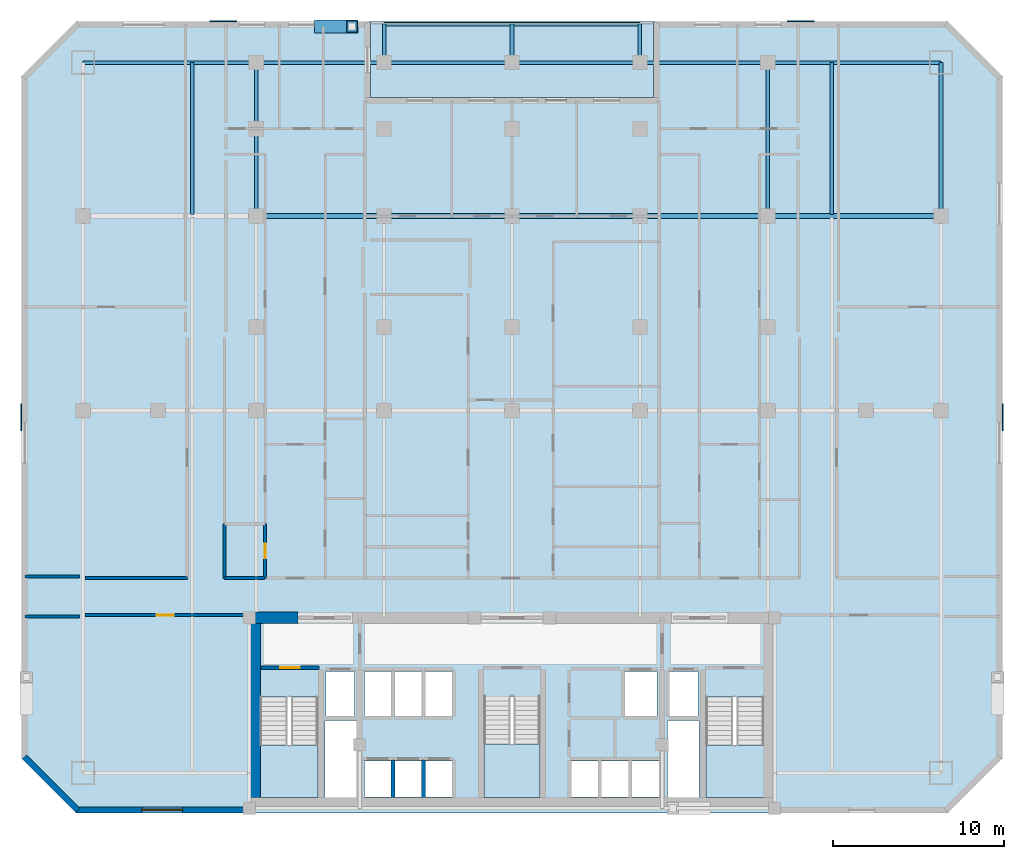
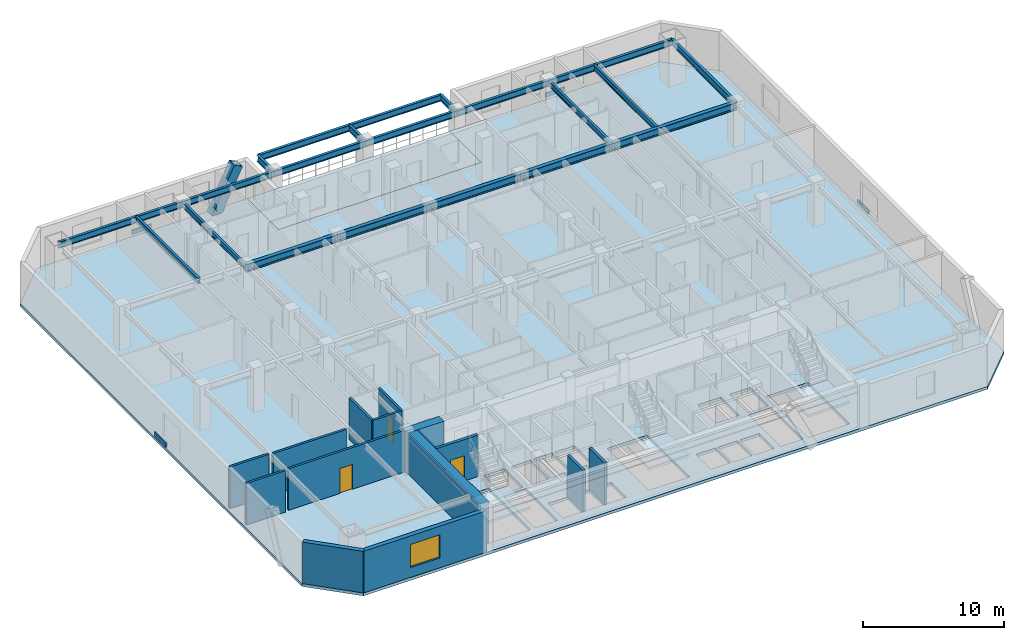
# One storey, part 2 of 9: 21 beams, 14 walls, 5 slabs, 4 plates, 3 doors, 1 member, 1 window, 4 openings, 3 elements without a shape of their own.
"""IFC4 building model written with IfcOpenShell, lengths in metres."""

import ifcopenshell
import ifcopenshell.guid

model = None  # the IFC model being written
_history = None  # IfcOwnerHistory: only IFC2X3 demands one
_inside = {}  # id of a spatial element -> (the spatial element, [elements in it])
_under = {}  # id of a project, library or spatial element -> (it, [spatial elements below it])
_declared = {}  # id of a project -> (the project, [libraries it declares])
_typed = {}  # id of a type object -> (the type object, [elements of that type])
_made_of = {}  # id of a material, layer set ... -> (it, [elements and type objects made of it])


def new_model(schema):
    """Start an empty IFC model of exactly this schema.

    Asked for "IFC4X3", IfcOpenShell would pick the latest addendum, in which some entities
    have other attributes; the version numbers below select the first issue.
    IFC2X3 requires an IfcOwnerHistory on every rooted entity: one is made here for all.
    """
    global model, _history
    if schema == "IFC4X3":
        model = ifcopenshell.file(schema_version=(4, 3, 0, 0))
    else:
        model = ifcopenshell.file(schema=schema)
    _inside.clear()
    _under.clear()
    _declared.clear()
    _typed.clear()
    _made_of.clear()
    _history = None
    if model.schema == "IFC2X3":
        org = make("IfcOrganization", Name="unknown")
        user = make(
            "IfcPersonAndOrganization",
            ThePerson=make("IfcPerson", FamilyName="unknown"),
            TheOrganization=org,
        )
        app = make(
            "IfcApplication",
            ApplicationDeveloper=org,
            Version="unknown",
            ApplicationFullName="unknown",
            ApplicationIdentifier="unknown",
        )
        _history = make(
            "IfcOwnerHistory",
            OwningUser=user,
            OwningApplication=app,
            ChangeAction="ADDED",
            CreationDate=0,
        )
    return model


def make(cls, **values):
    """One entity of the class cls with the attributes given. An attribute that is None is left unset."""
    return model.create_entity(
        cls, **{name: value for name, value in values.items() if value is not None}
    )


def rooted(cls, **values):
    """An entity with a GlobalId (a new one), such as an element, a storey or a relation."""
    return make(cls, GlobalId=ifcopenshell.guid.new(), OwnerHistory=_history, **values)


def si_unit(unit_type, name, prefix=None):
    """IfcSIUnit, for example si_unit("LENGTHUNIT", "METRE", prefix="MILLI")."""
    return make("IfcSIUnit", UnitType=unit_type, Prefix=prefix, Name=name)


def assignment(units):
    """IfcUnitAssignment: the units of a project."""
    return None if units is None else make("IfcUnitAssignment", Units=units)


def point(xyz):
    """IfcCartesianPoint."""
    return None if xyz is None else make("IfcCartesianPoint", Coordinates=xyz)


def direction(xyz):
    """IfcDirection."""
    return None if xyz is None else make("IfcDirection", DirectionRatios=xyz)


def frame(location, z_axis=None, x_axis=None):
    """IfcAxis2Placement3D, a coordinate frame: its origin and axes. An axis left out is left unset."""
    return make(
        "IfcAxis2Placement3D",
        Location=point(location),
        Axis=direction(z_axis),
        RefDirection=direction(x_axis),
    )


def frame_2d(location, x_axis=None):
    """IfcAxis2Placement2D, a coordinate frame in the plane: its origin and x axis."""
    return make(
        "IfcAxis2Placement2D", Location=point(location), RefDirection=direction(x_axis)
    )


def origin():
    """The frame at (0, 0, 0) with its axes left unset."""
    return frame((0.0, 0.0, 0.0))


def origin_2d():
    """The frame at (0, 0) in the plane with its x axis left unset."""
    return frame_2d((0.0, 0.0))


def place(relative_to, where):
    """IfcLocalPlacement: puts the frame where relative to a parent placement (None: the world)."""
    return make(
        "IfcLocalPlacement", PlacementRelTo=relative_to, RelativePlacement=where
    )


def context(
    kind, dimensions, precision=None, world=None, true_north=None, identifier=None
):
    """IfcGeometricRepresentationContext, for example the 3D "Model" context."""
    return make(
        "IfcGeometricRepresentationContext",
        ContextIdentifier=identifier,
        ContextType=kind,
        CoordinateSpaceDimension=dimensions,
        Precision=precision,
        WorldCoordinateSystem=world,
        TrueNorth=true_north,
    )


def subcontext(parent, identifier, kind, view, scale=None):
    """IfcGeometricRepresentationSubContext, for example "Body" below "Model"."""
    return make(
        "IfcGeometricRepresentationSubContext",
        ContextIdentifier=identifier,
        ContextType=kind,
        ParentContext=parent,
        TargetScale=scale,
        TargetView=view,
    )


def project(units=None, contexts=None):
    """IfcProject with its units and contexts."""
    return rooted(
        "IfcProject",
        Name="project",
        RepresentationContexts=contexts,
        UnitsInContext=assignment(units),
    )


def spatial(cls, under=None, at=None, **own):
    """A site, building, storey or space (cls), placed at a placement, below another one or the project."""
    s = rooted(cls, ObjectPlacement=at, **own)
    if under is not None:
        _under.setdefault(under.id(), (under, []))[1].append(s)
    return s


def polyline(points):
    """IfcPolyline through the points."""
    return make("IfcPolyline", Points=[point(p) for p in points])


def profile(cls, at=None, kind="AREA", **sizes):
    """A parametric profile (cls). Its sizes go by their IFC names, for example OverallWidth=200.0."""
    return make(cls, ProfileType=kind, Position=at, **sizes)


def rectangle(**sizes):
    """IfcRectangleProfileDef."""
    return profile("IfcRectangleProfileDef", **sizes)


def hollow_rectangle(**sizes):
    """IfcRectangleHollowProfileDef."""
    return profile("IfcRectangleHollowProfileDef", **sizes)


def i_section(**sizes):
    """IfcIShapeProfileDef."""
    return profile("IfcIShapeProfileDef", **sizes)


def outline(outer, holes=None, kind="AREA"):
    """IfcArbitraryClosedProfileDef: a profile drawn as a closed curve; with holes, ...WithVoids."""
    if holes is None:
        return make("IfcArbitraryClosedProfileDef", ProfileType=kind, OuterCurve=outer)
    return make(
        "IfcArbitraryProfileDefWithVoids",
        ProfileType=kind,
        OuterCurve=outer,
        InnerCurves=holes,
    )


def extrude(swept, where, along, depth):
    """IfcExtrudedAreaSolid: the profile swept, set in the frame where, extruded along a direction by depth."""
    return make(
        "IfcExtrudedAreaSolid",
        SweptArea=swept,
        Position=where,
        ExtrudedDirection=direction(along),
        Depth=depth,
    )


def shape(context_of_items, identifier, shape_type, items):
    """IfcShapeRepresentation: the items that make up one representation, for example the "Body"."""
    return make(
        "IfcShapeRepresentation",
        ContextOfItems=context_of_items,
        RepresentationIdentifier=identifier,
        RepresentationType=shape_type,
        Items=items,
    )


def material(Name=None, Category=None):
    """IfcMaterial."""
    return make("IfcMaterial", Name=Name, Category=Category)


def layer(
    of_material, thickness, ventilated=None, Name=None, Category=None, Priority=None
):
    """IfcMaterialLayer: one layer of a wall or slab, of a material (None: an air gap)."""
    return make(
        "IfcMaterialLayer",
        Material=of_material,
        LayerThickness=thickness,
        IsVentilated=ventilated,
        Name=Name,
        Category=Category,
        Priority=Priority,
    )


def layer_set(layers, Name=None):
    """IfcMaterialLayerSet."""
    return make("IfcMaterialLayerSet", MaterialLayers=layers, LayerSetName=Name)


def material_profile(
    of_material, cross_section, Name=None, Category=None, Priority=None
):
    """IfcMaterialProfile: a cross section and its material."""
    return make(
        "IfcMaterialProfile",
        Name=Name,
        Material=of_material,
        Profile=cross_section,
        Priority=Priority,
        Category=Category,
    )


def profile_set(profiles, Name=None, composite=None):
    """IfcMaterialProfileSet."""
    return make(
        "IfcMaterialProfileSet",
        Name=Name,
        MaterialProfiles=profiles,
        CompositeProfile=composite,
    )


def made_of(thing, what):
    """Note that an element or type object is made of a material, layer set ...; save() writes the relation."""
    if what is not None:
        _made_of.setdefault(what.id(), (what, []))[1].append(thing)
    return thing


def type_object(cls, material=None, **own):
    """A type object (cls), such as IfcWallType, which elements share."""
    return made_of(rooted(cls, **own), material)


def element(
    cls,
    number,
    at=None,
    inside=None,
    cuts=None,
    type_object=None,
    material=None,
    context=None,
    identifier="Body",
    shape_type=None,
    held_by="IfcProductDefinitionShape",
    body=None,
    shapes=None,
    **own,
):
    """One element of the class cls, such as IfcWall. Its Tag is "e" and its number.

    at: its placement. inside: the storey or other place that contains it. cuts: it is an
    opening in that element (IfcRelVoidsElement). A single representation is given by context,
    identifier, shape_type and body (its items); several are given by shapes. held_by: the class
    of the entity that holds the representations. save() writes the other relations.
    """
    e = rooted(cls, Tag="e%d" % number, ObjectPlacement=at, **own)
    if body is not None:
        shapes = [shape(context, identifier, shape_type, body)]
    if shapes is not None:
        e.Representation = make(held_by, Representations=shapes)
    if inside is not None:
        _inside.setdefault(inside.id(), (inside, []))[1].append(e)
    if cuts is not None:
        rooted(
            "IfcRelVoidsElement", RelatingBuildingElement=cuts, RelatedOpeningElement=e
        )
    if type_object is not None:
        _typed.setdefault(type_object.id(), (type_object, []))[1].append(e)
    return made_of(e, material)


def fill(opening, filler):
    """IfcRelFillsElement: the door or window that sits in an opening."""
    return rooted(
        "IfcRelFillsElement",
        RelatingOpeningElement=opening,
        RelatedBuildingElement=filler,
    )


def aggregate(whole, parts):
    """IfcRelAggregates: a whole, such as a stair, and the parts it consists of."""
    return rooted("IfcRelAggregates", RelatingObject=whole, RelatedObjects=parts)


def save(model, path):
    """Write the relations noted so far, then the file.

    IfcRelAggregates (storeys below a building ...), IfcRelContainedInSpatialStructure (elements
    in a storey), IfcRelDefinesByType, IfcRelAssociatesMaterial and IfcRelDeclares: one each for
    every whole, place, type object, material and project.
    """
    for whole, parts in _under.values():
        aggregate(whole, parts)
    for where, things in _inside.values():
        rooted(
            "IfcRelContainedInSpatialStructure",
            RelatedElements=things,
            RelatingStructure=where,
        )
    for kind, things in _typed.values():
        rooted("IfcRelDefinesByType", RelatedObjects=things, RelatingType=kind)
    for what, things in _made_of.values():
        rooted("IfcRelAssociatesMaterial", RelatedObjects=things, RelatingMaterial=what)
    for by, libraries in _declared.values():
        rooted("IfcRelDeclares", RelatingContext=by, RelatedDefinitions=libraries)
    model.write(path)


model = new_model("IFC4")

# Units and contexts
model_context = context("Model", 3, precision=1e-05, world=origin(), true_north=direction((0.0, 1.0)))
body_context = subcontext(model_context, "Body", "Model", "MODEL_VIEW")
ifc_project = project(units=[si_unit("LENGTHUNIT", "METRE"), si_unit("AREAUNIT", "SQUARE_METRE"), si_unit("VOLUMEUNIT", "CUBIC_METRE"), si_unit("PLANEANGLEUNIT", "RADIAN"), si_unit("MASSUNIT", "GRAM", prefix="KILO")], contexts=[model_context])

# Site, building, storey
site_placement = place(None, origin())
site = spatial("IfcSite", under=ifc_project, at=site_placement, CompositionType="ELEMENT")
building_placement = place(site_placement, origin())
building = spatial("IfcBuilding", under=site, at=building_placement, Name="Ventersveld Concourse Tower", CompositionType="ELEMENT")
storey_placement = place(building_placement, frame((0.0, 0.0, 68.300048828125)))
storey = spatial("IfcBuildingStorey", under=building, at=storey_placement, Name="L16", CompositionType="ELEMENT", Elevation=68.300048828125)

# Beams
ifc_material_1 = material(Name="Structural steel S355J2", Category="steel")
ifc_material_profile_1 = material_profile(ifc_material_1, i_section(OverallWidth=0.19140625, OverallDepth=0.4599609375, WebThickness=0.010009765625, FlangeThickness=0.01611328125, FilletRadius=0.01025390625, at=origin_2d()), Name="UB 457x191x82")
ifc_profile_set_1 = profile_set([ifc_material_profile_1], Name="Structural steel S355J2")
beam_type_1 = type_object("IfcBeamType", Name="BM-UB457H", PredefinedType="BEAM", material=ifc_profile_set_1)
beam_1_placement = place(storey_placement, frame((10.0, 35.094970703125, 3.369873046875), z_axis=(0.0, 1.0, 0.0), x_axis=(-1.0, 0.0, 0.0)))
element("IfcBeam", 1, at=beam_1_placement, inside=storey, type_object=beam_type_1, Name="L16 N-S Composite Floor Beam North X=10.00", PredefinedType="BEAM", context=body_context, shape_type="SweptSolid", body=[
    extrude(i_section(OverallWidth=0.19140625, OverallDepth=0.4599609375, WebThickness=0.010009765625, FlangeThickness=0.01611328125, FilletRadius=0.01025390625, at=origin_2d()), origin(), (0.0, 0.0, 1.0), 8.905029296875),
])
for number, where, z_axis, x_axis, name in (
    (2, (13.75, 35.0, 3.369873046875), (0.0, 1.0, 0.0), (-1.0, 0.0, 0.0), "L16 N-S Composite Floor Beam North X=13.75"),
    (3, (43.75, 35.0, 3.369873046875), (0.0, 1.0, 0.0), (-1.0, 0.0, 0.0), "L16 N-S Composite Floor Beam North X=43.75"),
):
    element("IfcBeam", number, at=place(storey_placement, frame(where, z_axis=z_axis, x_axis=x_axis)), inside=storey, type_object=beam_type_1, Name=name, PredefinedType="BEAM", context=body_context, shape_type="SweptSolid", body=[
        extrude(i_section(OverallWidth=0.19140625, OverallDepth=0.4599609375, WebThickness=0.010009765625, FlangeThickness=0.01611328125, FilletRadius=0.01025390625, at=origin_2d()), origin(), (0.0, 0.0, 1.0), 9.0),
    ])
beam_2_placement = place(storey_placement, frame((47.5, 35.094970703125, 3.369873046875), z_axis=(0.0, 1.0, 0.0), x_axis=(-1.0, 0.0, 0.0)))
element("IfcBeam", 4, at=beam_2_placement, inside=storey, type_object=beam_type_1, Name="L16 N-S Composite Floor Beam North X=47.50", PredefinedType="BEAM", context=body_context, shape_type="SweptSolid", body=[
    extrude(i_section(OverallWidth=0.19140625, OverallDepth=0.4599609375, WebThickness=0.010009765625, FlangeThickness=0.01611328125, FilletRadius=0.01025390625, at=origin_2d()), origin(), (0.0, 0.0, 1.0), 8.905029296875),
])
ifc_material_profile_2 = material_profile(ifc_material_1, i_section(OverallWidth=0.311279296875, OverallDepth=0.6357421875, WebThickness=0.018310546875, FlangeThickness=0.031494140625, FilletRadius=0.0166015625, at=origin_2d()), Name="UB 610x305x238")
ifc_profile_set_2 = profile_set([ifc_material_profile_2], Name="Structural steel S355J2")
beam_type_2 = type_object("IfcBeamType", Name="GRD-UB610H", PredefinedType="USERDEFINED", material=ifc_profile_set_2)
for number, where, z_axis, x_axis, name in (
    (5, (13.75, 35.0, 3.281982421875), (1.0, 0.0, 0.0), (0.0, 1.0, 0.0), "L16 E-W Grid Girder Y=35.00 #2"),
    (6, (21.25, 35.0, 3.281982421875), (1.0, 0.0, 0.0), (0.0, 1.0, 0.0), "L16 E-W Grid Girder Y=35.00 #3"),
    (7, (28.75, 35.0, 3.281982421875), (1.0, 0.0, 0.0), (0.0, 1.0, 0.0), "L16 E-W Grid Girder Y=35.00 #4"),
    (8, (36.25, 35.0, 3.281982421875), (1.0, 0.0, 0.0), (0.0, 1.0, 0.0), "L16 E-W Grid Girder Y=35.00 #5"),
):
    element("IfcBeam", number, at=place(storey_placement, frame(where, z_axis=z_axis, x_axis=x_axis)), inside=storey, type_object=beam_type_2, Name=name, ObjectType="GIRDER", PredefinedType="USERDEFINED", context=body_context, shape_type="SweptSolid", body=[
        extrude(i_section(OverallWidth=0.311279296875, OverallDepth=0.6357421875, WebThickness=0.018310546875, FlangeThickness=0.031494140625, FilletRadius=0.0166015625, at=origin_2d()), origin(), (0.0, 0.0, 1.0), 7.5),
    ])
beam_3_placement = place(storey_placement, frame((43.75, 35.0, 3.281982421875), z_axis=(1.0, 0.0, 0.0), x_axis=(0.0, 1.0, 0.0)))
element("IfcBeam", 9, at=beam_3_placement, inside=storey, type_object=beam_type_2, Name="L16 E-W Grid Girder Y=35.00 #6", ObjectType="GIRDER", PredefinedType="USERDEFINED", context=body_context, shape_type="SweptSolid", body=[
    extrude(i_section(OverallWidth=0.311279296875, OverallDepth=0.6357421875, WebThickness=0.018310546875, FlangeThickness=0.031494140625, FilletRadius=0.0166015625, at=origin_2d()), origin(), (0.0, 0.0, 1.0), 10.14990234375),
])

# Member
ifc_material_2 = material(Name="Structural steel S355ML", Category="steel")
ifc_material_profile_3 = material_profile(ifc_material_2, hollow_rectangle(XDim=0.75, YDim=0.75, WallThickness=0.044921875, at=origin_2d()), Name="BOX 750x750x45")
ifc_profile_set_3 = profile_set([ifc_material_profile_3], Name="Structural steel S355ML")
member_type = type_object("IfcMemberType", Name="MB-750x750", PredefinedType="BRACE", material=ifc_profile_set_3)
member_placement = place(storey_placement, frame((17.5, 46.1201171875, -0.25), z_axis=(0.437861906815, 0.0, 0.899042240699), x_axis=(0.0, 1.0, 0.0)))
element("IfcMember", 10, at=member_placement, inside=storey, type_object=member_type, Name="L16 Exterior Mega-Brace N (Module M03)", PredefinedType="BRACE", context=body_context, shape_type="SweptSolid", body=[
    extrude(hollow_rectangle(XDim=0.75, YDim=0.75, WallThickness=0.044921875, at=origin_2d()), origin(), (0.0, 0.0, 1.0), 4.2822265625),
])

# Beams
ifc_material_profile_4 = material_profile(ifc_material_1, i_section(OverallWidth=0.2119140625, OverallDepth=0.54443359375, WebThickness=0.0126953125, FlangeThickness=0.021240234375, FilletRadius=0.0126953125, at=origin_2d()), Name="UB 533x210x122")
ifc_profile_set_4 = profile_set([ifc_material_profile_4], Name="Structural steel S355J2")
beam_type_3 = type_object("IfcBeamType", Name="SPD-UB533", PredefinedType="SPANDREL", material=ifc_profile_set_4)
beam_4_placement = place(storey_placement, frame((53.89990234375, 35.0, 3.32763671875), z_axis=(0.0, 1.0, 0.0), x_axis=(-1.0, 0.0, 0.0)))
element("IfcBeam", 11, at=beam_4_placement, inside=storey, type_object=beam_type_3, Name="L16 East Spandrel Beam N", PredefinedType="SPANDREL", context=body_context, shape_type="SweptSolid", body=[
    extrude(i_section(OverallWidth=0.2119140625, OverallDepth=0.54443359375, WebThickness=0.0126953125, FlangeThickness=0.021240234375, FilletRadius=0.0126953125, at=origin_2d()), origin(), (0.0, 0.0, 1.0), 9.0),
])
for number, where, z_axis, x_axis, name in (
    (12, (21.25, 44.0, 3.32763671875), (0.0, 1.0, 0.0), (-1.0, 0.0, 0.0), "L16 Terrace Bracket W"),
    (13, (28.75, 44.0, 3.32763671875), (0.0, 1.0, 0.0), (-1.0, 0.0, 0.0), "L16 Terrace Bracket C"),
    (14, (36.25, 44.0, 3.32763671875), (0.0, 1.0, 0.0), (-1.0, 0.0, 0.0), "L16 Terrace Bracket E"),
):
    element("IfcBeam", number, at=place(storey_placement, frame(where, z_axis=z_axis, x_axis=x_axis)), inside=storey, type_object=beam_type_3, Name=name, PredefinedType="SPANDREL", context=body_context, shape_type="SweptSolid", body=[
        extrude(i_section(OverallWidth=0.2119140625, OverallDepth=0.54443359375, WebThickness=0.0126953125, FlangeThickness=0.021240234375, FilletRadius=0.0126953125, at=origin_2d()), origin(), (0.0, 0.0, 1.0), 2.25),
    ])
for number, where, z_axis, x_axis, name in (
    (15, (21.25, 46.25, 3.32763671875), (1.0, 0.0, 0.0), (0.0, 1.0, 0.0), "L16 Terrace Edge Spandrel W"),
    (16, (28.75, 46.25, 3.32763671875), (1.0, 0.0, 0.0), (0.0, 1.0, 0.0), "L16 Terrace Edge Spandrel E"),
):
    element("IfcBeam", number, at=place(storey_placement, frame(where, z_axis=z_axis, x_axis=x_axis)), inside=storey, type_object=beam_type_3, Name=name, PredefinedType="SPANDREL", context=body_context, shape_type="SweptSolid", body=[
        extrude(i_section(OverallWidth=0.2119140625, OverallDepth=0.54443359375, WebThickness=0.0126953125, FlangeThickness=0.021240234375, FilletRadius=0.0126953125, at=origin_2d()), origin(), (0.0, 0.0, 1.0), 7.5),
    ])
beam_5_placement = place(storey_placement, frame((3.60009765625, 44.0, 3.32763671875), z_axis=(1.0, 0.0, 0.0), x_axis=(0.0, 1.0, 0.0)))
element("IfcBeam", 17, at=beam_5_placement, inside=storey, type_object=beam_type_3, Name="L16 North Spandrel Girder Y=44.00 #1", PredefinedType="SPANDREL", context=body_context, shape_type="SweptSolid", body=[
    extrude(i_section(OverallWidth=0.2119140625, OverallDepth=0.54443359375, WebThickness=0.0126953125, FlangeThickness=0.021240234375, FilletRadius=0.0126953125, at=origin_2d()), origin(), (0.0, 0.0, 1.0), 10.14990234375),
])
for number, where, z_axis, x_axis, name in (
    (18, (13.75, 44.0, 3.32763671875), (1.0, 0.0, 0.0), (0.0, 1.0, 0.0), "L16 North Spandrel Girder Y=44.00 #2"),
    (19, (21.25, 44.0, 3.32763671875), (1.0, 0.0, 0.0), (0.0, 1.0, 0.0), "L16 North Spandrel Girder Y=44.00 #3"),
    (20, (28.75, 44.0, 3.32763671875), (1.0, 0.0, 0.0), (0.0, 1.0, 0.0), "L16 North Spandrel Girder Y=44.00 #4"),
    (21, (36.25, 44.0, 3.32763671875), (1.0, 0.0, 0.0), (0.0, 1.0, 0.0), "L16 North Spandrel Girder Y=44.00 #5"),
):
    element("IfcBeam", number, at=place(storey_placement, frame(where, z_axis=z_axis, x_axis=x_axis)), inside=storey, type_object=beam_type_3, Name=name, PredefinedType="SPANDREL", context=body_context, shape_type="SweptSolid", body=[
        extrude(i_section(OverallWidth=0.2119140625, OverallDepth=0.54443359375, WebThickness=0.0126953125, FlangeThickness=0.021240234375, FilletRadius=0.0126953125, at=origin_2d()), origin(), (0.0, 0.0, 1.0), 7.5),
    ])
beam_6_placement = place(storey_placement, frame((43.75, 44.0, 3.32763671875), z_axis=(1.0, 0.0, 0.0), x_axis=(0.0, 1.0, 0.0)))
element("IfcBeam", 22, at=beam_6_placement, inside=storey, type_object=beam_type_3, Name="L16 North Spandrel Girder Y=44.00 #6", PredefinedType="SPANDREL", context=body_context, shape_type="SweptSolid", body=[
    extrude(i_section(OverallWidth=0.2119140625, OverallDepth=0.54443359375, WebThickness=0.0126953125, FlangeThickness=0.021240234375, FilletRadius=0.0126953125, at=origin_2d()), origin(), (0.0, 0.0, 1.0), 10.14990234375),
])

# Plates
ifc_material_3 = material(Name="Precast concrete C45/55", Category="concrete")
ifc_layer_1 = layer(ifc_material_3, 0.080078125)
ifc_layer_set_1 = layer_set([ifc_layer_1], Name="Precast concrete C45/55")
plate_type = type_object("IfcPlateType", Name="PL-SPAND-80", PredefinedType="SHEET", material=ifc_layer_set_1)
for number, where, z_axis, x_axis, name in (
    (23, (57.52001953125, 23.199951171875, 0.169921875), (0.0, 0.0, 1.0), (0.0, 1.0, 0.0), "L16 Litema Bas-Relief Precast Spandrel Cassette 1"),
    (24, (45.675048828125, 46.419921875, 0.169921875), (0.0, 0.0, 1.0), (-1.0, 0.0, 0.0), "L16 Litema Bas-Relief Precast Spandrel Cassette 1"),
    (25, (11.824951171875, 46.419921875, 0.169921875), (0.0, 0.0, 1.0), (-1.0, 0.0, 0.0), "L16 Litema Bas-Relief Precast Spandrel Cassette 1"),
    (26, (-0.02001953125, 23.199951171875, 0.169921875), (0.0, 0.0, 1.0), (0.0, -1.0, 0.0), "L16 Litema Bas-Relief Precast Spandrel Cassette 1"),
):
    element("IfcPlate", number, at=place(storey_placement, frame(where, z_axis=z_axis, x_axis=x_axis)), inside=storey, type_object=plate_type, Name=name, PredefinedType="SHEET", context=body_context, shape_type="SweptSolid", body=[
        extrude(rectangle(XDim=1.60009765625, YDim=0.080078125, at=origin_2d()), origin(), (0.0, 0.0, 1.0), 0.3798828125),
    ])

# Slabs
ifc_material_4 = material(Name="Concrete C50/60", Category="concrete")
ifc_layer_2 = layer(ifc_material_4, 0.25)
ifc_layer_set_2 = layer_set([ifc_layer_2], Name="Concrete C50/60")
slab_type_1 = type_object("IfcSlabType", Name="SL-FLR-250", PredefinedType="FLOOR", material=ifc_layer_set_2)
slab_1_placement = place(storey_placement, frame((0.0, 0.0, -0.25)))
element("IfcSlab", 27, at=slab_1_placement, inside=storey, type_object=slab_type_1, Name="L16 Composite Floor Slab", PredefinedType="FLOOR", context=body_context, shape_type="SweptSolid", body=[
    extrude(outline(polyline([(3.199951171875, 0.0), (54.300048828125, 0.0), (57.5, 3.199951171875), (57.5, 43.199951171875), (54.300048828125, 46.39990234375), (37.050048828125, 46.39990234375), (37.050048828125, 41.949951171875), (20.449951171875, 41.949951171875), (20.449951171875, 46.39990234375), (3.199951171875, 46.39990234375), (0.0, 43.199951171875), (0.0, 3.199951171875), (3.199951171875, 0.0)]), holes=[polyline([(13.97998046875, 6.794921875), (13.97998046875, 0.89990234375), (17.3798828125, 0.89990234375), (17.3798828125, 6.794921875), (13.97998046875, 6.794921875)]), polyline([(40.1201171875, 6.794921875), (40.1201171875, 0.89990234375), (43.52001953125, 0.89990234375), (43.52001953125, 6.794921875), (40.1201171875, 6.794921875)]), polyline([(27.10009765625, 6.844970703125), (27.10009765625, 0.89990234375), (30.39990234375, 0.89990234375), (30.39990234375, 6.844970703125), (27.10009765625, 6.844970703125)]), polyline([(17.85009765625, 5.699951171875), (19.530029296875, 5.699951171875), (19.530029296875, 8.300048828125), (17.85009765625, 8.300048828125), (17.85009765625, 5.699951171875)]), polyline([(37.969970703125, 5.699951171875), (39.64990234375, 5.699951171875), (39.64990234375, 8.300048828125), (37.969970703125, 8.300048828125), (37.969970703125, 5.699951171875)]), polyline([(35.35009765625, 5.699951171875), (37.25, 5.699951171875), (37.25, 8.300048828125), (35.35009765625, 8.300048828125), (35.35009765625, 5.699951171875)]), polyline([(20.090087890625, 0.949951171875), (21.68994140625, 0.949951171875), (21.68994140625, 3.050048828125), (20.090087890625, 3.050048828125), (20.090087890625, 0.949951171875)]), polyline([(21.8701171875, 0.949951171875), (23.469970703125, 0.949951171875), (23.469970703125, 3.050048828125), (21.8701171875, 3.050048828125), (21.8701171875, 0.949951171875)]), polyline([(23.64990234375, 0.949951171875), (25.25, 0.949951171875), (25.25, 3.050048828125), (23.64990234375, 3.050048828125), (23.64990234375, 0.949951171875)]), polyline([(32.2099609375, 0.949951171875), (33.81005859375, 0.949951171875), (33.81005859375, 3.050048828125), (32.2099609375, 3.050048828125), (32.2099609375, 0.949951171875)]), polyline([(33.989990234375, 0.949951171875), (35.590087890625, 0.949951171875), (35.590087890625, 3.050048828125), (33.989990234375, 3.050048828125), (33.989990234375, 0.949951171875)]), polyline([(35.77001953125, 0.949951171875), (37.3701171875, 0.949951171875), (37.3701171875, 3.050048828125), (35.77001953125, 3.050048828125), (35.77001953125, 0.949951171875)]), polyline([(20.090087890625, 5.699951171875), (21.68994140625, 5.699951171875), (21.68994140625, 8.300048828125), (20.090087890625, 8.300048828125), (20.090087890625, 5.699951171875)]), polyline([(21.8701171875, 5.699951171875), (23.469970703125, 5.699951171875), (23.469970703125, 8.300048828125), (21.8701171875, 8.300048828125), (21.8701171875, 5.699951171875)]), polyline([(23.64990234375, 5.699951171875), (25.25, 5.699951171875), (25.25, 8.300048828125), (23.64990234375, 8.300048828125), (23.64990234375, 5.699951171875)]), polyline([(17.780029296875, 0.919921875), (19.6201171875, 0.919921875), (19.6201171875, 5.419921875), (17.780029296875, 5.419921875), (17.780029296875, 0.919921875)]), polyline([(37.8798828125, 0.919921875), (39.719970703125, 0.919921875), (39.719970703125, 5.419921875), (37.8798828125, 5.419921875), (37.8798828125, 0.919921875)])]), origin(), (0.0, 0.0, 1.0), 0.25),
])
slab_2_placement = place(storey_placement, frame((0.0, 0.0, -0.25)))
element("IfcSlab", 28, at=slab_2_placement, inside=storey, type_object=slab_type_1, Name="L16 Outdoor Terrace Slab NOTCH-N", PredefinedType="FLOOR", context=body_context, shape_type="SweptSolid", body=[
    extrude(outline(polyline([(20.449951171875, 41.949951171875), (37.050048828125, 41.949951171875), (37.050048828125, 46.39990234375), (20.449951171875, 46.39990234375), (20.449951171875, 41.949951171875)])), origin(), (0.0, 0.0, 1.0), 0.25),
])

# Stair, slab
stair_type_1 = type_object("IfcStairType", Name="ST-DOG-160", PredefinedType="HALF_TURN_STAIR", material=ifc_material_4)
stair_1_placement = place(storey_placement, origin())
stair_1 = element("IfcStair", 29, at=stair_1_placement, inside=storey, type_object=stair_type_1, Name="L16 Protected Tower Escape Stair ST-01", PredefinedType="HALF_TURN_STAIR")
ifc_layer_3 = layer(ifc_material_4, 0.199951171875)
ifc_layer_set_3 = layer_set([ifc_layer_3], Name="Concrete C50/60")
slab_type_2 = type_object("IfcSlabType", Name="SL-LND-200", PredefinedType="LANDING", material=ifc_layer_set_3)
slab_3_placement = place(storey_placement, frame((0.0, 0.0, 1.724853515625)))
slab_3 = element("IfcSlab", 30, at=slab_3_placement, type_object=slab_type_2, Name="ST-01 landing 1", PredefinedType="LANDING", context=body_context, shape_type="SweptSolid", body=[
    extrude(outline(polyline([(13.97998046875, 4.0), (13.97998046875, 0.89990234375), (17.3798828125, 0.89990234375), (17.3798828125, 4.0), (13.97998046875, 4.0)])), origin(), (0.0, 0.0, 1.0), 0.2001953125),
])
aggregate(stair_1, [slab_3])

stair_2_placement = place(storey_placement, origin())
stair_2 = element("IfcStair", 31, at=stair_2_placement, inside=storey, type_object=stair_type_1, Name="L16 Protected Tower Escape Stair ST-02", PredefinedType="HALF_TURN_STAIR")
slab_4_placement = place(storey_placement, frame((0.0, 0.0, 1.724853515625)))
slab_4 = element("IfcSlab", 32, at=slab_4_placement, type_object=slab_type_2, Name="ST-02 landing 1", PredefinedType="LANDING", context=body_context, shape_type="SweptSolid", body=[
    extrude(outline(polyline([(40.1201171875, 4.0), (40.1201171875, 0.89990234375), (43.52001953125, 0.89990234375), (43.52001953125, 4.0), (40.1201171875, 4.0)])), origin(), (0.0, 0.0, 1.0), 0.2001953125),
])
aggregate(stair_2, [slab_4])

stair_type_2 = type_object("IfcStairType", Name="ST-DOG-155", PredefinedType="HALF_TURN_STAIR", material=ifc_material_4)
stair_3_placement = place(storey_placement, origin())
stair_3 = element("IfcStair", 33, at=stair_3_placement, inside=storey, type_object=stair_type_2, Name="L16 Protected Central Core Escape Stair ST-03", PredefinedType="HALF_TURN_STAIR")
slab_5_placement = place(storey_placement, frame((0.0, 0.0, 1.724853515625)))
slab_5 = element("IfcSlab", 34, at=slab_5_placement, type_object=slab_type_2, Name="ST-03 landing 1", PredefinedType="LANDING", context=body_context, shape_type="SweptSolid", body=[
    extrude(outline(polyline([(27.10009765625, 4.050048828125), (27.10009765625, 0.89990234375), (30.39990234375, 0.89990234375), (30.39990234375, 4.050048828125), (27.10009765625, 4.050048828125)])), origin(), (0.0, 0.0, 1.0), 0.2001953125),
])
aggregate(stair_3, [slab_5])

# Walls
ifc_material_5 = material(Name="Concrete C60/75", Category="concrete")
ifc_layer_4 = layer(ifc_material_5, 0.699951171875)
ifc_layer_set_4 = layer_set([ifc_layer_4], Name="Concrete C60/75")
wall_type_1 = type_object("IfcWallType", Name="WL-CORE-700", PredefinedType="SHEAR", material=ifc_layer_set_4)
wall_1_placement = place(storey_placement, frame((13.64990234375, 0.919921875, 0.0), z_axis=(0.0, 0.0, 1.0), x_axis=(0.0, 1.0, 0.0)))
element("IfcWall", 35, at=wall_1_placement, inside=storey, type_object=wall_type_1, Name="L16 Rear Core West Shear Wall", PredefinedType="SHEAR", context=body_context, shape_type="SweptSolid", body=[
    extrude(rectangle(XDim=10.530029296875, YDim=0.699951171875, at=frame_2d((5.26513671875, 0.0))), origin(), (0.0, 0.0, 1.0), 3.599853515625),
])
wall_2_placement = place(storey_placement, frame((13.25, 11.449951171875, 0.0), z_axis=(0.0, 0.0, 1.0), x_axis=(1.0, 0.0, 0.0)))
element("IfcWall", 36, at=wall_2_placement, inside=storey, type_object=wall_type_1, Name="L16 Rear Core North Shear Wall NW", PredefinedType="SHEAR", context=body_context, shape_type="SweptSolid", body=[
    extrude(rectangle(XDim=2.949951171875, YDim=0.699951171875, at=frame_2d((1.47509765625, 0.0))), origin(), (0.0, 0.0, 1.0), 3.599853515625),
])

# Wall, opening, door
ifc_material_6 = material(Name="Fire-rated autoclaved aerated masonry blockwork", Category="masonry")
ifc_layer_5 = layer(ifc_material_6, 0.179931640625)
ifc_layer_set_5 = layer_set([ifc_layer_5], Name="Fire-rated autoclaved aerated masonry blockwork")
wall_type_2 = type_object("IfcWallType", Name="WL-CORR-180", PredefinedType="PARTITIONING", material=ifc_layer_set_5)
wall_3_placement = place(storey_placement, frame((3.705078125, 11.60009765625, 0.0), z_axis=(0.0, 0.0, 1.0), x_axis=(1.0, 0.0, 0.0)))
wall_3 = element("IfcWall", 37, at=wall_3_placement, inside=storey, type_object=wall_type_2, Name="L16 Interior Partition SP-L16-SW-GAL-SP-L16-COR", PredefinedType="PARTITIONING", context=body_context, shape_type="SweptSolid", body=[
    extrude(rectangle(XDim=9.43994140625, YDim=0.179931640625, at=frame_2d((4.719970703125, 0.0))), origin(), (0.0, 0.0, 1.0), 3.599853515625),
])
opening_1_placement = place(wall_3_placement, frame((4.219970703125, 0.0, 0.0)))
opening_1 = element("IfcOpeningElement", 38, at=opening_1_placement, cuts=wall_3, Name="Opening FD3", PredefinedType="OPENING", context=body_context, shape_type="SweptSolid", body=[
    extrude(rectangle(XDim=1.0, YDim=2.14990234375, at=frame_2d((0.5, 1.074951171875))), frame((0.0, 0.10009765625, 0.0), z_axis=(0.0, -1.0, 0.0), x_axis=(1.0, 0.0, 0.0)), (0.0, 0.0, 1.0), 0.199951171875),
])
ifc_material_7 = material(Name="Solid-core hardwood veneer timber", Category="wood")
door_type_1 = type_object("IfcDoorType", Name="DR-FLAT-100", OperationType="NOTDEFINED", PredefinedType="DOOR", material=ifc_material_7)
door_1_placement = place(opening_1_placement, origin())
door_1 = element("IfcDoor", 39, at=door_1_placement, inside=storey, type_object=door_type_1, Name="L16 Interior Door SP-L16-SW-GAL to SP-L16-COR (D-L16-0725)", OperationType="SINGLE_SWING_LEFT", OverallHeight=2.14990234375, OverallWidth=1.0, PredefinedType="DOOR", context=body_context, shape_type="SweptSolid", body=[
    extrude(rectangle(XDim=1.0, YDim=2.14990234375, at=frame_2d((0.5, 1.074951171875))), frame((0.0, 0.02490234375, 0.0), z_axis=(0.0, -1.0, 0.0), x_axis=(1.0, 0.0, 0.0)), (0.0, 0.0, 1.0), 0.050048828125),
])
fill(opening_1, door_1)

# Walls
wall_4_placement = place(storey_placement, frame((3.705078125, 13.77001953125, 0.0), z_axis=(0.0, 0.0, 1.0), x_axis=(1.0, 0.0, 0.0)))
element("IfcWall", 40, at=wall_4_placement, inside=storey, type_object=wall_type_2, Name="L16 Interior Partition SP-L16-COR-SP-L16-NWLNG1", PredefinedType="PARTITIONING", context=body_context, shape_type="SweptSolid", body=[
    extrude(rectangle(XDim=6.010009765625, YDim=0.179931640625, at=frame_2d((3.0048828125, 0.0))), origin(), (0.0, 0.0, 1.0), 3.599853515625),
])
wall_5_placement = place(storey_placement, frame((11.889892578125, 13.764892578125, 0.0), z_axis=(0.0, 0.0, 1.0), x_axis=(0.0, 1.0, 0.0)))
element("IfcWall", 41, at=wall_5_placement, inside=storey, type_object=wall_type_2, Name="L16 Interior Partition SP-L16-COR-SP-L16-16CW-BATH", PredefinedType="PARTITIONING", context=body_context, shape_type="SweptSolid", body=[
    extrude(rectangle(XDim=3.184326171875, YDim=0.179931640625, at=frame_2d((1.59228515625, 0.0))), origin(), (0.0, 0.0, 1.0), 3.599853515625),
])
wall_6_placement = place(storey_placement, frame((11.885009765625, 13.77001953125, 0.0), z_axis=(0.0, 0.0, 1.0), x_axis=(1.0, 0.0, 0.0)))
element("IfcWall", 42, at=wall_6_placement, inside=storey, type_object=wall_type_2, Name="L16 Interior Partition SP-L16-COR-SP-L16-16CW-BATH", PredefinedType="PARTITIONING", context=body_context, shape_type="SweptSolid", body=[
    extrude(rectangle(XDim=2.354248046875, YDim=0.179931640625, at=frame_2d((1.17724609375, 0.0))), origin(), (0.0, 0.0, 1.0), 3.599853515625),
])
wall_7_placement = place(storey_placement, frame((0.2099609375, 11.52001953125, 0.0), z_axis=(0.0, 0.0, 1.0), x_axis=(1.0, 0.0, 0.0)))
element("IfcWall", 43, at=wall_7_placement, inside=storey, type_object=wall_type_2, Name="L16 Room Enclosure Wall SP-L16-SW-GAL", PredefinedType="PARTITIONING", context=body_context, shape_type="SweptSolid", body=[
    extrude(rectangle(XDim=3.177734375, YDim=0.179931640625, at=frame_2d((1.5888671875, 0.0))), origin(), (0.0, 0.0, 1.0), 3.599853515625),
])
wall_8_placement = place(storey_placement, frame((3.39013671875, 13.860107421875, 0.0), z_axis=(0.0, 0.0, 1.0), x_axis=(-1.0, 0.0, 0.0)))
element("IfcWall", 44, at=wall_8_placement, inside=storey, type_object=wall_type_2, Name="L16 Room Enclosure Wall SP-L16-NWLNG1", PredefinedType="PARTITIONING", context=body_context, shape_type="SweptSolid", body=[
    extrude(rectangle(XDim=3.18017578125, YDim=0.179931640625, at=frame_2d((1.590087890625, 0.0))), origin(), (0.0, 0.0, 1.0), 3.599853515625),
])
ifc_layer_6 = layer(ifc_material_6, 0.219970703125)
ifc_layer_set_6 = layer_set([ifc_layer_6], Name="Fire-rated autoclaved aerated masonry blockwork")
wall_type_3 = type_object("IfcWallType", Name="WL-HOIST-220", PredefinedType="SOLIDWALL", material=ifc_layer_set_6)
for number, where, z_axis, x_axis, name in (
    (45, (21.780029296875, 0.89990234375, 0.0), (0.0, 0.0, 1.0), (0.0, 1.0, 0.0), "L16 Lift Hoistway Side Wall PL-01E"),
    (46, (23.56005859375, 0.89990234375, 0.0), (0.0, 0.0, 1.0), (0.0, 1.0, 0.0), "L16 Lift Hoistway Side Wall PL-02E"),
):
    element("IfcWall", number, at=place(storey_placement, frame(where, z_axis=z_axis, x_axis=x_axis)), inside=storey, type_object=wall_type_3, Name=name, PredefinedType="SOLIDWALL", context=body_context, shape_type="SweptSolid", body=[
        extrude(rectangle(XDim=2.2001953125, YDim=0.219970703125, at=frame_2d((1.10009765625, 0.0))), origin(), (0.0, 0.0, 1.0), 3.599853515625),
    ])

# Wall, opening, door
wall_9_placement = place(storey_placement, frame((14.0400390625, 8.52001953125, 0.0), z_axis=(0.0, 0.0, 1.0), x_axis=(1.0, 0.0, 0.0)))
wall_9 = element("IfcWall", 47, at=wall_9_placement, inside=storey, type_object=wall_type_3, Name="L16 Escape Stair ST01 Fire Wall", PredefinedType="SOLIDWALL", context=body_context, shape_type="SweptSolid", body=[
    extrude(rectangle(XDim=3.39990234375, YDim=0.219970703125, at=frame_2d((1.699951171875, 0.0))), origin(), (0.0, 0.0, 1.0), 3.599853515625),
])
opening_2_placement = place(wall_9_placement, frame((1.125, 0.0, 0.0)))
opening_2 = element("IfcOpeningElement", 48, at=opening_2_placement, cuts=wall_9, Name="Opening FD1", PredefinedType="OPENING", context=body_context, shape_type="SweptSolid", body=[
    extrude(rectangle(XDim=1.14990234375, YDim=2.199951171875, at=frame_2d((0.574951171875, 1.10009765625))), frame((0.0, 0.1201171875, 0.0), z_axis=(0.0, -1.0, 0.0), x_axis=(1.0, 0.0, 0.0)), (0.0, 0.0, 1.0), 0.239990234375),
])
ifc_material_8 = material(Name="Galvanised painted steel", Category="steel")
door_type_2 = type_object("IfcDoorType", Name="DR-STAIR-115", OperationType="NOTDEFINED", PredefinedType="DOOR", material=ifc_material_8)
door_2_placement = place(opening_2_placement, origin())
door_2 = element("IfcDoor", 49, at=door_2_placement, inside=storey, type_object=door_type_2, Name="L16 Escape Stair Door ST01 (SD-L16-0715)", OperationType="SINGLE_SWING_LEFT", OverallHeight=2.199951171875, OverallWidth=1.14990234375, PredefinedType="DOOR", context=body_context, shape_type="SweptSolid", body=[
    extrude(rectangle(XDim=1.14990234375, YDim=2.199951171875, at=frame_2d((0.574951171875, 1.10009765625))), frame((0.0, 0.02490234375, 0.0), z_axis=(0.0, -1.0, 0.0), x_axis=(1.0, 0.0, 0.0)), (0.0, 0.0, 1.0), 0.050048828125),
])
fill(opening_2, door_2)

# Wall, opening, window
ifc_layer_7 = layer(ifc_material_3, 0.35009765625)
ifc_layer_set_7 = layer_set([ifc_layer_7], Name="Precast concrete C45/55")
wall_type_4 = type_object("IfcWallType", Name="WL-PREC-350", PredefinedType="SOLIDWALL", material=ifc_layer_set_7)
wall_10_placement = place(storey_placement, frame((3.239990234375, 0.179931640625, 0.0), z_axis=(0.0, 0.0, 1.0), x_axis=(1.0, 0.0, 0.0)))
wall_10 = element("IfcWall", 50, at=wall_10_placement, inside=storey, type_object=wall_type_4, Name="L16 South-West Flank Precast Wall", PredefinedType="SOLIDWALL", context=body_context, shape_type="SweptSolid", body=[
    extrude(rectangle(XDim=10.010009765625, YDim=0.35009765625, at=frame_2d((5.0048828125, 0.0))), origin(), (0.0, 0.0, 1.0), 3.599853515625),
])
opening_3_placement = place(wall_10_placement, frame((3.804931640625, 0.0, 0.85009765625)))
opening_3 = element("IfcOpeningElement", 51, at=opening_3_placement, cuts=wall_10, Name="Opening W5", PredefinedType="OPENING", context=body_context, shape_type="SweptSolid", body=[
    extrude(rectangle(XDim=2.39990234375, YDim=2.0, at=frame_2d((1.199951171875, 1.0))), frame((0.0, 0.18505859375, 0.0), z_axis=(0.0, -1.0, 0.0), x_axis=(1.0, 0.0, 0.0)), (0.0, 0.0, 1.0), 0.3701171875),
])
ifc_material_9 = material(Name="Tempered acoustic Low-E IGU", Category="glass")
window_type = type_object("IfcWindowType", Name="WIN-240x210", PartitioningType="SINGLE_PANEL", PredefinedType="WINDOW", material=ifc_material_9)
window_placement = place(opening_3_placement, origin())
window = element("IfcWindow", 52, at=window_placement, inside=storey, type_object=window_type, Name="L16 Punched Low-E Window W-0144", OverallHeight=2.0, OverallWidth=2.39990234375, PartitioningType="SINGLE_PANEL", PredefinedType="WINDOW", context=body_context, shape_type="SweptSolid", body=[
    extrude(rectangle(XDim=2.39990234375, YDim=2.0, at=frame_2d((1.199951171875, 1.0))), frame((0.0, 0.030029296875, 0.0), z_axis=(0.0, -1.0, 0.0), x_axis=(1.0, 0.0, 0.0)), (0.0, 0.0, 1.0), 0.06005859375),
])
fill(opening_3, window)

# Wall
wall_11_placement = place(storey_placement, frame((0.152099609375, 3.29541015625, 0.0), z_axis=(0.0, 0.0, 1.0), x_axis=(0.707106781187, -0.707106781187, 0.0)))
element("IfcWall", 53, at=wall_11_placement, inside=storey, type_object=wall_type_4, Name="L16 Highveld Precast Facade Wall E12", PredefinedType="SOLIDWALL", context=body_context, shape_type="SweptSolid", body=[
    extrude(rectangle(XDim=4.4453125, YDim=0.35009765625, at=frame_2d((2.22265625, 0.0))), origin(), (0.0, 0.0, 1.0), 3.599853515625),
])

# Wall, opening, door
ifc_material_10 = material(Name="Autoclaved aerated masonry blockwork", Category="masonry")
ifc_layer_8 = layer(ifc_material_10, 0.1650390625)
ifc_layer_set_8 = layer_set([ifc_layer_8], Name="Autoclaved aerated masonry blockwork")
wall_type_5 = type_object("IfcWallType", Name="WL-WET-165", PredefinedType="PLUMBINGWALL", material=ifc_layer_set_8)
wall_12_placement = place(storey_placement, frame((14.274169921875, 13.764892578125, 0.0), z_axis=(0.0, 0.0, 1.0), x_axis=(0.0, 1.0, 0.0)))
wall_12 = element("IfcWall", 54, at=wall_12_placement, inside=storey, type_object=wall_type_5, Name="L16 Interior Partition SP-L16-16CW-FOY-SP-L16-16CW-BATH", PredefinedType="PLUMBINGWALL", context=body_context, shape_type="SweptSolid", body=[
    extrude(rectangle(XDim=3.184326171875, YDim=0.1650390625, at=frame_2d((1.59228515625, 0.0))), origin(), (0.0, 0.0, 1.0), 3.599853515625),
])
opening_4_placement = place(wall_12_placement, frame((1.167236328125, 0.0, 0.0)))
opening_4 = element("IfcOpeningElement", 55, at=opening_4_placement, cuts=wall_12, Name="Opening ID2", PredefinedType="OPENING", context=body_context, shape_type="SweptSolid", body=[
    extrude(rectangle(XDim=0.85009765625, YDim=2.10009765625, at=frame_2d((0.425048828125, 1.050048828125))), frame((0.0, 0.092529296875, 0.0), z_axis=(0.0, -1.0, 0.0), x_axis=(1.0, 0.0, 0.0)), (0.0, 0.0, 1.0), 0.18505859375),
])
door_type_3 = type_object("IfcDoorType", Name="DR-BATH-085", OperationType="NOTDEFINED", PredefinedType="DOOR", material=ifc_material_7)
door_3_placement = place(opening_4_placement, origin())
door_3 = element("IfcDoor", 56, at=door_3_placement, inside=storey, type_object=door_type_3, Name="L16 Interior Door SP-L16-16CW-FOY to SP-L16-16CW-BATH (D-L16-0735)", OperationType="SINGLE_SWING_LEFT", OverallHeight=2.10009765625, OverallWidth=0.85009765625, PredefinedType="DOOR", context=body_context, shape_type="SweptSolid", body=[
    extrude(rectangle(XDim=0.85009765625, YDim=2.10009765625, at=frame_2d((0.425048828125, 1.050048828125))), frame((0.0, 0.02490234375, 0.0), z_axis=(0.0, -1.0, 0.0), x_axis=(1.0, 0.0, 0.0)), (0.0, 0.0, 1.0), 0.050048828125),
])
fill(opening_4, door_3)

save(model, "model.ifc")
